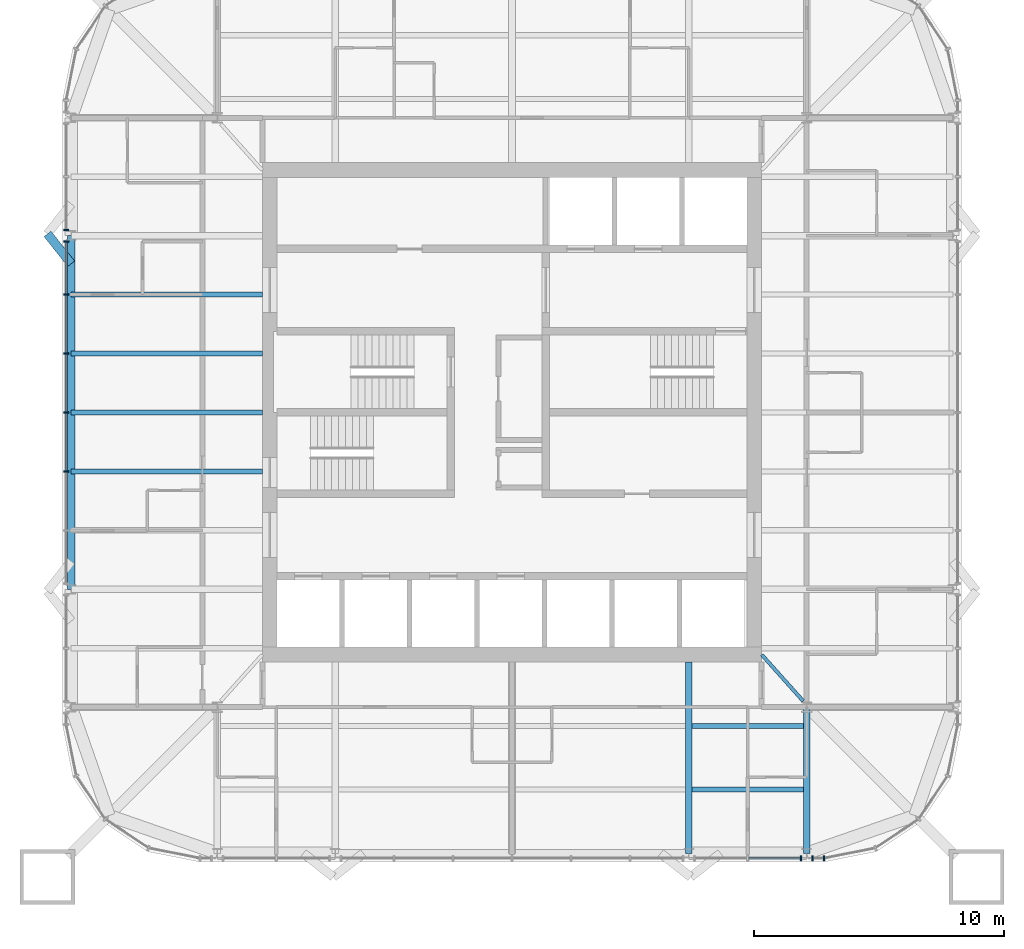
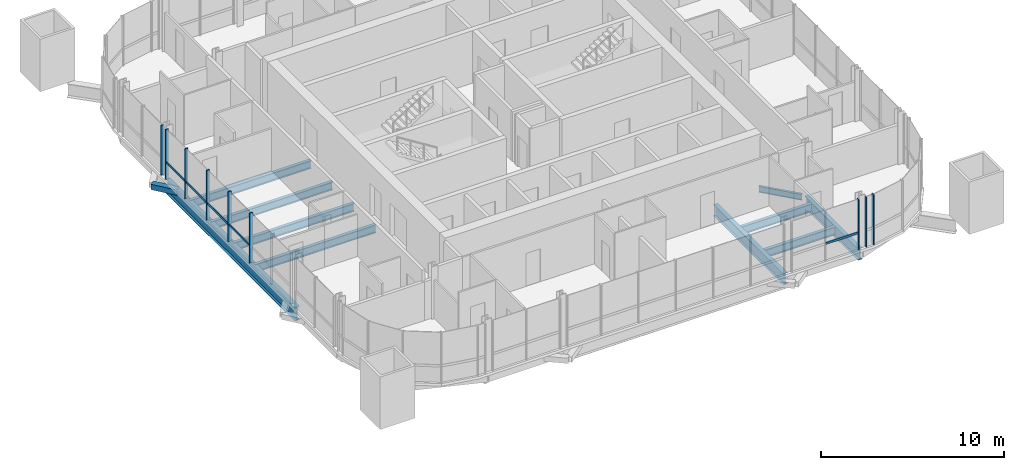
# One storey, part 3 of 17: 14 members, 11 beams, 4 elements without a shape of their own.
"""IFC4 building model written with IfcOpenShell, lengths in metres."""

from ifc_helpers import new_model, si_unit, direction, frame, origin, origin_2d, place, context, subcontext, project, spatial, rectangle, hollow_rectangle, i_section, extrude, material, material_profile, profile_set, type_object, element, aggregate, save


model = new_model("IFC4")

# Units and contexts
model_context = context("Model", 3, precision=1e-05, world=origin(), true_north=direction((0.0, 1.0)))
body_context = subcontext(model_context, "Body", "Model", "MODEL_VIEW")
ifc_project = project(units=[si_unit("LENGTHUNIT", "METRE"), si_unit("AREAUNIT", "SQUARE_METRE"), si_unit("VOLUMEUNIT", "CUBIC_METRE"), si_unit("PLANEANGLEUNIT", "RADIAN"), si_unit("MASSUNIT", "GRAM", prefix="KILO")], contexts=[model_context])

# Site, building, storey
site_placement = place(None, origin())
site = spatial("IfcSite", under=ifc_project, at=site_placement, CompositionType="ELEMENT")
building_placement = place(site_placement, origin())
building = spatial("IfcBuilding", under=site, at=building_placement, Name="Turquesa Mirador Hotel Tower", CompositionType="ELEMENT")
storey_placement = place(building_placement, frame((0.0, 0.0, 240.699951171875)))
storey = spatial("IfcBuildingStorey", under=building, at=storey_placement, Name="L65", CompositionType="ELEMENT", Elevation=240.699951171875)

# Beams
ifc_material_1 = material(Name="Steel ASTM A992 Grade 50", Category="steel")
ifc_material_profile_1 = material_profile(ifc_material_1, i_section(OverallWidth=0.140380859375, OverallDepth=0.40380859375, WebThickness=0.007080078125, FlangeThickness=0.01123046875, at=origin_2d()), Name="W16X31")
ifc_profile_set_1 = profile_set([ifc_material_profile_1], Name="Steel ASTM A992 Grade 50")
beam_type_1 = type_object("IfcBeamType", Name="BEAM W16X31", PredefinedType="BEAM", material=ifc_profile_set_1)
beam_1_placement = place(storey_placement, frame((66.656494140625, 33.44873046875, -0.371826171875), z_axis=(-0.666806350186, 0.745231032198, 0.0), x_axis=(-0.745231032198, -0.666806350186, 0.0)))
element("IfcBeam", 1, at=beam_1_placement, inside=storey, type_object=beam_type_1, Name="KT-L65-4", PredefinedType="BEAM", context=body_context, shape_type="SweptSolid", body=[
    extrude(i_section(OverallWidth=0.140380859375, OverallDepth=0.40380859375, WebThickness=0.007080078125, FlangeThickness=0.01123046875, at=origin_2d()), origin(), (0.0, 0.0, 1.0), 2.484130859375),
])
ifc_material_2 = material(Name="Steel ASTM A992 Grade 50", Category="steel")
ifc_material_profile_2 = material_profile(ifc_material_2, i_section(OverallWidth=0.209228515625, OverallDepth=0.533447265625, WebThickness=0.01025390625, FlangeThickness=0.015625, at=origin_2d()), Name="W21X62")
ifc_profile_set_2 = profile_set([ifc_material_profile_2], Name="Steel ASTM A992 Grade 50")
beam_type_2 = type_object("IfcBeamType", Name="BEAM W21X62", PredefinedType="BEAM", material=ifc_profile_set_2)
for number, where, z_axis, x_axis, name in (
    (2, (62.21337890625, 32.449951171875, -0.436767578125), (1.0, 0.0, 0.0), (0.0, 1.0, 0.0), "IB-L65-S-1-3"),
    (3, (62.21337890625, 29.89990234375, -0.436767578125), (1.0, 0.0, 0.0), (0.0, 1.0, 0.0), "IB-L65-S-2-3"),
):
    element("IfcBeam", number, at=place(storey_placement, frame(where, z_axis=z_axis, x_axis=x_axis)), inside=storey, type_object=beam_type_2, Name=name, PredefinedType="BEAM", context=body_context, shape_type="SweptSolid", body=[
        extrude(i_section(OverallWidth=0.209228515625, OverallDepth=0.533447265625, WebThickness=0.01025390625, FlangeThickness=0.015625, at=origin_2d()), origin(), (0.0, 0.0, 1.0), 4.453369140625),
    ])
for number, where, z_axis, x_axis, name in (
    (4, (37.35009765625, 42.639892578125, -0.436767578125), (1.0, 0.0, 0.0), (0.0, 1.0, 0.0), "BM-L65-W--2.36"),
    (5, (37.35009765625, 45.0, -0.436767578125), (1.0, 0.0, 0.0), (0.0, 1.0, 0.0), "BM-L65-W-+0.00"),
    (6, (37.35009765625, 47.360107421875, -0.436767578125), (1.0, 0.0, 0.0), (0.0, 1.0, 0.0), "BM-L65-W-+2.36"),
    (7, (37.35009765625, 49.719970703125, -0.436767578125), (1.0, 0.0, 0.0), (0.0, 1.0, 0.0), "BM-L65-W-+4.72"),
):
    element("IfcBeam", number, at=place(storey_placement, frame(where, z_axis=z_axis, x_axis=x_axis)), inside=storey, type_object=beam_type_2, Name=name, PredefinedType="BEAM", context=body_context, shape_type="SweptSolid", body=[
        extrude(i_section(OverallWidth=0.209228515625, OverallDepth=0.533447265625, WebThickness=0.01025390625, FlangeThickness=0.015625, at=origin_2d()), origin(), (0.0, 0.0, 1.0), 7.64990234375),
    ])
ifc_material_3 = material(Name="Steel ASTM A992 Grade 50", Category="steel")
ifc_material_profile_3 = material_profile(ifc_material_3, i_section(OverallWidth=0.2666015625, OverallDepth=0.7568359375, WebThickness=0.013916015625, FlangeThickness=0.019287109375, at=origin_2d()), Name="W30X108")
ifc_profile_set_3 = profile_set([ifc_material_profile_3], Name="Steel ASTM A992 Grade 50")
beam_type_3 = type_object("IfcBeamType", Name="BEAM W30X108", PredefinedType="BEAM", material=ifc_profile_set_3)
beam_2_placement = place(storey_placement, frame((62.080078125, 27.35009765625, -0.54833984375), z_axis=(0.0, 1.0, 0.0), x_axis=(-1.0, 0.0, 0.0)))
element("IfcBeam", 8, at=beam_2_placement, inside=storey, type_object=beam_type_3, Name="GD-L65-S-+7.08", PredefinedType="BEAM", context=body_context, shape_type="SweptSolid", body=[
    extrude(i_section(OverallWidth=0.2666015625, OverallDepth=0.7568359375, WebThickness=0.013916015625, FlangeThickness=0.019287109375, at=origin_2d()), origin(), (0.0, 0.0, 1.0), 7.64990234375),
])
beam_3_placement = place(storey_placement, frame((66.800048828125, 27.35009765625, -0.54833984375), z_axis=(0.0, 1.0, 0.0), x_axis=(-1.0, 0.0, 0.0)))
element("IfcBeam", 9, at=beam_3_placement, inside=storey, type_object=beam_type_3, Name="GK-L65-S-+11.80", PredefinedType="BEAM", context=body_context, shape_type="SweptSolid", body=[
    extrude(i_section(OverallWidth=0.2666015625, OverallDepth=0.7568359375, WebThickness=0.013916015625, FlangeThickness=0.019287109375, at=origin_2d()), origin(), (0.0, 0.0, 1.0), 5.849853515625),
])
ifc_material_4 = material(Name="Steel ASTM A992 Grade 50", Category="steel")
ifc_material_profile_4 = material_profile(ifc_material_4, i_section(OverallWidth=0.3046875, OverallDepth=0.911865234375, WebThickness=0.015869140625, FlangeThickness=0.02392578125, at=origin_2d()), Name="W36X150")
ifc_profile_set_4 = profile_set([ifc_material_profile_4], Name="Steel ASTM A992 Grade 50")
beam_type_4 = type_object("IfcBeamType", Name="BEAM W36X150", PredefinedType="BEAM", material=ifc_profile_set_4)
beam_4_placement = place(storey_placement, frame((37.35009765625, 37.919921875, -0.6259765625), z_axis=(0.0, 1.0, 0.0), x_axis=(-1.0, 0.0, 0.0)))
element("IfcBeam", 10, at=beam_4_placement, inside=storey, type_object=beam_type_4, Name="EB-L65-W-C", PredefinedType="BEAM", context=body_context, shape_type="SweptSolid", body=[
    extrude(i_section(OverallWidth=0.3046875, OverallDepth=0.911865234375, WebThickness=0.015869140625, FlangeThickness=0.02392578125, at=origin_2d()), origin(), (0.0, 0.0, 1.0), 14.16015625),
])
ifc_material_5 = material(Name="Steel ASTM A500 Grade C", Category="steel")
ifc_material_profile_5 = material_profile(ifc_material_5, hollow_rectangle(XDim=0.355712890625, YDim=0.355712890625, WallThickness=0.0146484375, at=origin_2d()), Name="HSS14X14X5/8")
ifc_profile_set_5 = profile_set([ifc_material_profile_5], Name="Steel ASTM A500 Grade C")
beam_type_5 = type_object("IfcBeamType", Name="BRACE STRUT HSS14X14X5/8", PredefinedType="BEAM", material=ifc_profile_set_5)
beam_5_placement = place(storey_placement, frame((36.39990234375, 52.15380859375, -0.34765625), z_axis=(0.620796907089, -0.783971428146, 0.0), x_axis=(0.783971428146, 0.620796907089, 0.0)))
element("IfcBeam", 11, at=beam_5_placement, inside=storey, type_object=beam_type_5, Name="Brace strut", PredefinedType="BEAM", context=body_context, shape_type="SweptSolid", body=[
    extrude(hollow_rectangle(XDim=0.355712890625, YDim=0.355712890625, WallThickness=0.0146484375, at=origin_2d()), origin(), (0.0, 0.0, 1.0), 1.530517578125),
])

# Curtain wall, member
ifc_material_6 = material(Name="Aluminium extrusion", Category="aluminium")
curtain_wall_type = type_object("IfcCurtainWallType", Name="CW-4 SUITE FRITTED CURTAIN WALL", PredefinedType="USERDEFINED", material=ifc_material_6)
curtain_wall_1_placement = place(storey_placement, origin())
curtain_wall_1 = element("IfcCurtainWall", 12, at=curtain_wall_1_placement, inside=storey, type_object=curtain_wall_type, Name="CW-4 SUITE FRITTED CURTAIN WALL L65", ObjectType="CURTAIN WALL", PredefinedType="USERDEFINED")
ifc_material_7 = material(Name="Aluminium extrusion", Category="aluminium")
ifc_material_profile_6 = material_profile(ifc_material_7, rectangle(XDim=0.06494140625, YDim=0.199951171875, at=origin_2d()), Name="MULLION 65X200")
ifc_profile_set_6 = profile_set([ifc_material_profile_6], Name="Aluminium extrusion")
member_type_1 = type_object("IfcMemberType", Name="CW MULLION 65X200", PredefinedType="MULLION", material=ifc_profile_set_6)
member_1_placement = place(storey_placement, frame((37.14990234375, 52.31396484375, 0.0), z_axis=(0.0, 0.0, 1.0), x_axis=(0.0, -1.0, 0.0)))
member_1 = element("IfcMember", 13, at=member_1_placement, type_object=member_type_1, Name="Mullion", PredefinedType="MULLION", context=body_context, shape_type="SweptSolid", body=[
    extrude(rectangle(XDim=0.06494140625, YDim=0.199951171875, at=origin_2d()), origin(), (0.0, 0.0, 1.0), 3.330078125),
])
aggregate(curtain_wall_1, [member_1])

# Curtain wall, members
curtain_wall_2_placement = place(storey_placement, origin())
curtain_wall_2 = element("IfcCurtainWall", 14, at=curtain_wall_2_placement, inside=storey, type_object=curtain_wall_type, Name="CW-4 SUITE FRITTED CURTAIN WALL L65", ObjectType="CURTAIN WALL", PredefinedType="USERDEFINED")
member_2_placement = place(storey_placement, frame((37.14990234375, 51.84619140625, 0.0), z_axis=(0.0, 0.0, 1.0), x_axis=(0.0, -1.0, 0.0)))
member_2 = element("IfcMember", 15, at=member_2_placement, type_object=member_type_1, Name="Mullion", PredefinedType="MULLION", context=body_context, shape_type="SweptSolid", body=[
    extrude(rectangle(XDim=0.06494140625, YDim=0.199951171875, at=origin_2d()), origin(), (0.0, 0.0, 1.0), 3.330078125),
])
member_3_placement = place(storey_placement, frame((37.14990234375, 49.719970703125, 0.0), z_axis=(0.0, 0.0, 1.0), x_axis=(0.0, -1.0, 0.0)))
member_3 = element("IfcMember", 16, at=member_3_placement, type_object=member_type_1, Name="Mullion", PredefinedType="MULLION", context=body_context, shape_type="SweptSolid", body=[
    extrude(rectangle(XDim=0.06494140625, YDim=0.199951171875, at=origin_2d()), origin(), (0.0, 0.0, 1.0), 3.330078125),
])
member_4_placement = place(storey_placement, frame((37.14990234375, 47.360107421875, 0.0), z_axis=(0.0, 0.0, 1.0), x_axis=(0.0, -1.0, 0.0)))
member_4 = element("IfcMember", 17, at=member_4_placement, type_object=member_type_1, Name="Mullion", PredefinedType="MULLION", context=body_context, shape_type="SweptSolid", body=[
    extrude(rectangle(XDim=0.06494140625, YDim=0.199951171875, at=origin_2d()), origin(), (0.0, 0.0, 1.0), 3.330078125),
])
member_5_placement = place(storey_placement, frame((37.14990234375, 45.0, 0.0), z_axis=(0.0, 0.0, 1.0), x_axis=(0.0, -1.0, 0.0)))
member_5 = element("IfcMember", 18, at=member_5_placement, type_object=member_type_1, Name="Mullion", PredefinedType="MULLION", context=body_context, shape_type="SweptSolid", body=[
    extrude(rectangle(XDim=0.06494140625, YDim=0.199951171875, at=origin_2d()), origin(), (0.0, 0.0, 1.0), 3.330078125),
])
member_6_placement = place(storey_placement, frame((37.14990234375, 42.639892578125, 0.0), z_axis=(0.0, 0.0, 1.0), x_axis=(0.0, -1.0, 0.0)))
member_6 = element("IfcMember", 19, at=member_6_placement, type_object=member_type_1, Name="Mullion", PredefinedType="MULLION", context=body_context, shape_type="SweptSolid", body=[
    extrude(rectangle(XDim=0.06494140625, YDim=0.199951171875, at=origin_2d()), origin(), (0.0, 0.0, 1.0), 3.330078125),
])

# Curtain wall, member
curtain_wall_3_placement = place(storey_placement, origin())
curtain_wall_3 = element("IfcCurtainWall", 20, at=curtain_wall_3_placement, inside=storey, type_object=curtain_wall_type, Name="CW-4 SUITE FRITTED CURTAIN WALL L65", ObjectType="CURTAIN WALL", PredefinedType="USERDEFINED")
member_7_placement = place(storey_placement, frame((66.566162109375, 27.14990234375, 0.0), z_axis=(0.0, 0.0, 1.0), x_axis=(1.0, 0.0, 0.0)))
member_7 = element("IfcMember", 21, at=member_7_placement, type_object=member_type_1, Name="Mullion", PredefinedType="MULLION", context=body_context, shape_type="SweptSolid", body=[
    extrude(rectangle(XDim=0.06494140625, YDim=0.199951171875, at=origin_2d()), origin(), (0.0, 0.0, 1.0), 3.330078125),
])

# Curtain wall, members
curtain_wall_4_placement = place(storey_placement, origin())
curtain_wall_4 = element("IfcCurtainWall", 22, at=curtain_wall_4_placement, inside=storey, type_object=curtain_wall_type, Name="CW-4 SUITE FRITTED CURTAIN WALL L65", ObjectType="CURTAIN WALL", PredefinedType="USERDEFINED")
member_8_placement = place(storey_placement, frame((67.033935546875, 27.14990234375, 0.0), z_axis=(0.0, 0.0, 1.0), x_axis=(1.0, 0.0, 0.0)))
member_8 = element("IfcMember", 23, at=member_8_placement, type_object=member_type_1, Name="Mullion", PredefinedType="MULLION", context=body_context, shape_type="SweptSolid", body=[
    extrude(rectangle(XDim=0.06494140625, YDim=0.199951171875, at=origin_2d()), origin(), (0.0, 0.0, 1.0), 3.330078125),
])
member_9_placement = place(storey_placement, frame((67.5, 27.14990234375, 0.0), z_axis=(0.0, 0.0, 1.0), x_axis=(1.0, 0.0, 0.0)))
member_9 = element("IfcMember", 24, at=member_9_placement, type_object=member_type_1, Name="Mullion", PredefinedType="MULLION", context=body_context, shape_type="SweptSolid", body=[
    extrude(rectangle(XDim=0.06494140625, YDim=0.199951171875, at=origin_2d()), origin(), (0.0, 0.0, 1.0), 3.330078125),
])
aggregate(curtain_wall_4, [member_8, member_9])

# Member
ifc_material_8 = material(Name="Aluminium extrusion", Category="aluminium")
ifc_material_profile_7 = material_profile(ifc_material_8, rectangle(XDim=0.06494140625, YDim=0.14990234375, at=origin_2d()), Name="TRANSOM 65X150")
ifc_profile_set_7 = profile_set([ifc_material_profile_7], Name="Aluminium extrusion")
member_type_2 = type_object("IfcMemberType", Name="CW TRANSOM 65X150", PredefinedType="USERDEFINED", material=ifc_profile_set_7)
member_10_placement = place(storey_placement, frame((37.14990234375, 51.813720703125, 1.10009765625), z_axis=(0.0, -1.0, 0.0), x_axis=(1.0, 0.0, 0.0)))
member_10 = element("IfcMember", 25, at=member_10_placement, type_object=member_type_2, Name="Transom", ObjectType="TRANSOM", PredefinedType="USERDEFINED", context=body_context, shape_type="SweptSolid", body=[
    extrude(rectangle(XDim=0.06494140625, YDim=0.14990234375, at=origin_2d()), origin(), (0.0, 0.0, 1.0), 2.061279296875),
])

member_11_placement = place(storey_placement, frame((37.14990234375, 49.6875, 1.10009765625), z_axis=(0.0, -1.0, 0.0), x_axis=(1.0, 0.0, 0.0)))
member_11 = element("IfcMember", 26, at=member_11_placement, type_object=member_type_2, Name="Transom", ObjectType="TRANSOM", PredefinedType="USERDEFINED", context=body_context, shape_type="SweptSolid", body=[
    extrude(rectangle(XDim=0.06494140625, YDim=0.14990234375, at=origin_2d()), origin(), (0.0, 0.0, 1.0), 2.294921875),
])

member_12_placement = place(storey_placement, frame((37.14990234375, 47.327392578125, 1.10009765625), z_axis=(0.0, -1.0, 0.0), x_axis=(1.0, 0.0, 0.0)))
member_12 = element("IfcMember", 27, at=member_12_placement, type_object=member_type_2, Name="Transom", ObjectType="TRANSOM", PredefinedType="USERDEFINED", context=body_context, shape_type="SweptSolid", body=[
    extrude(rectangle(XDim=0.06494140625, YDim=0.14990234375, at=origin_2d()), origin(), (0.0, 0.0, 1.0), 2.294921875),
])

member_13_placement = place(storey_placement, frame((37.14990234375, 44.967529296875, 1.10009765625), z_axis=(0.0, -1.0, 0.0), x_axis=(1.0, 0.0, 0.0)))
member_13 = element("IfcMember", 28, at=member_13_placement, type_object=member_type_2, Name="Transom", ObjectType="TRANSOM", PredefinedType="USERDEFINED", context=body_context, shape_type="SweptSolid", body=[
    extrude(rectangle(XDim=0.06494140625, YDim=0.14990234375, at=origin_2d()), origin(), (0.0, 0.0, 1.0), 2.294921875),
])

aggregate(curtain_wall_2, [member_2, member_3, member_4, member_5, member_6, member_10, member_11, member_12, member_13])

member_14_placement = place(storey_placement, frame((64.472412109375, 27.14990234375, 1.10009765625), z_axis=(1.0, 0.0, 0.0), x_axis=(0.0, 1.0, 0.0)))
member_14 = element("IfcMember", 29, at=member_14_placement, type_object=member_type_2, Name="Transom", ObjectType="TRANSOM", PredefinedType="USERDEFINED", context=body_context, shape_type="SweptSolid", body=[
    extrude(rectangle(XDim=0.06494140625, YDim=0.14990234375, at=origin_2d()), origin(), (0.0, 0.0, 1.0), 2.061279296875),
])

aggregate(curtain_wall_3, [member_7, member_14])

save(model, "model.ifc")
